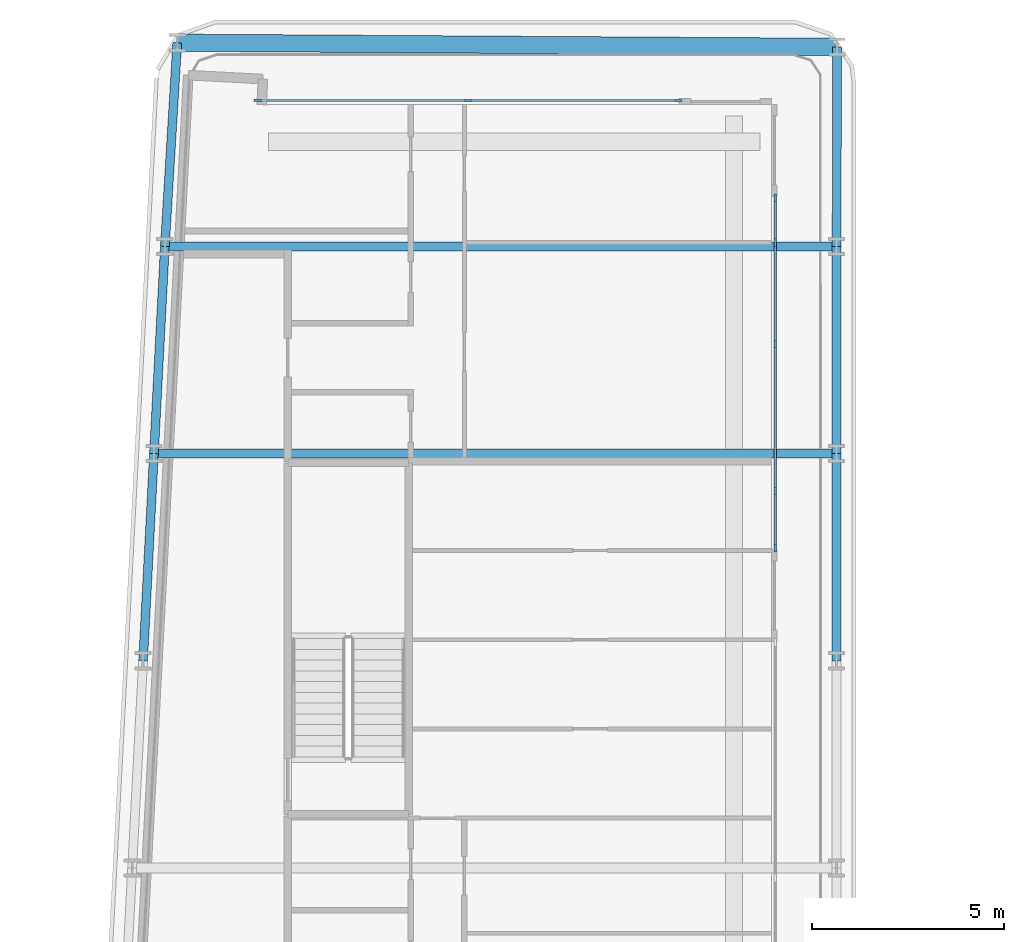
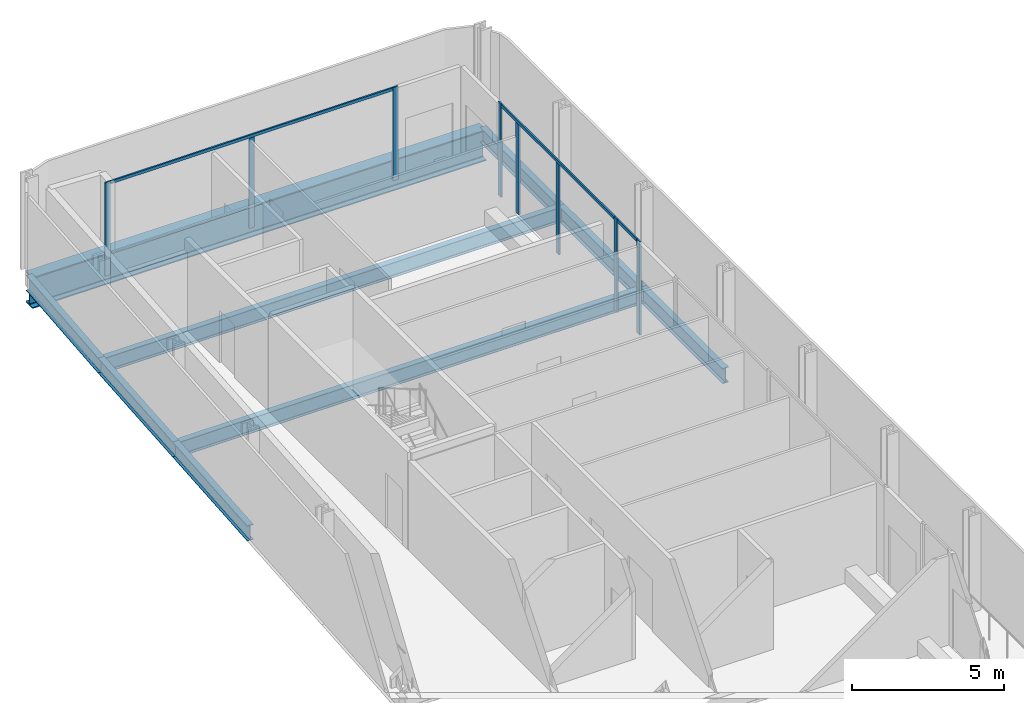
# One storey, part 8 of 24: 11 members, 9 beams, 3 elements without a shape of their own.
"""IFC4 building model written with IfcOpenShell, lengths in metres."""

from ifc_helpers import new_model, si_unit, direction, frame, origin, origin_2d, place, context, subcontext, project, spatial, rectangle, i_section, extrude, material, layer, layer_set, material_profile, profile_set, type_object, element, aggregate, save


model = new_model("IFC4")

# Units and contexts
model_context = context("Model", 3, precision=1e-05, world=origin(), true_north=direction((0.0, 1.0)))
body_context = subcontext(model_context, "Body", "Model", "MODEL_VIEW")
ifc_project = project(units=[si_unit("LENGTHUNIT", "METRE"), si_unit("AREAUNIT", "SQUARE_METRE"), si_unit("VOLUMEUNIT", "CUBIC_METRE"), si_unit("PLANEANGLEUNIT", "RADIAN"), si_unit("MASSUNIT", "GRAM", prefix="KILO")], contexts=[model_context])

# Site, building, storey
site_placement = place(None, origin())
site = spatial("IfcSite", under=ifc_project, at=site_placement, CompositionType="ELEMENT")
building_placement = place(site_placement, origin())
building = spatial("IfcBuilding", under=site, at=building_placement, Name="Kheshtan School and Residences Tower", CompositionType="ELEMENT")
storey_placement = place(building_placement, frame((0.0, 0.0, 38.300048828125)))
storey = spatial("IfcBuildingStorey", under=building, at=storey_placement, Name="L08", CompositionType="ELEMENT", Elevation=38.300048828125)

# Beams
ifc_material_1 = material(Name="Steel ASTM A992 Grade 50", Category="steel")
ifc_material_profile_1 = material_profile(ifc_material_1, i_section(OverallWidth=0.22802734375, OverallDepth=0.60302734375, WebThickness=0.010498046875, FlangeThickness=0.014892578125, FilletRadius=0.013427734375, at=origin_2d()), Name="W610x101")
ifc_profile_set_1 = profile_set([ifc_material_profile_1], Name="Steel ASTM A992 Grade 50")
beam_type_1 = type_object("IfcBeamType", Name="Beam FB5 W610x101 ASTM A992 Grade 50", PredefinedType="BEAM", material=ifc_profile_set_1)
beam_1_placement = place(storey_placement, frame((47.60009765625, 94.199951171875, -0.45166015625), z_axis=(-1.0, 0.0, 0.0), x_axis=(0.0, -1.0, 0.0)))
element("IfcBeam", 1, at=beam_1_placement, inside=storey, type_object=beam_type_1, Name="Floor beam C107", PredefinedType="BEAM", context=body_context, shape_type="SweptSolid", body=[
    extrude(i_section(OverallWidth=0.22802734375, OverallDepth=0.60302734375, WebThickness=0.010498046875, FlangeThickness=0.014892578125, FilletRadius=0.013427734375, at=origin_2d()), origin(), (0.0, 0.0, 1.0), 17.505126953125),
])
beam_2_placement = place(storey_placement, frame((29.81103515625, 88.800048828125, -0.45166015625), z_axis=(1.0, 0.0, 0.0), x_axis=(0.0, 1.0, 0.0)))
element("IfcBeam", 2, at=beam_2_placement, inside=storey, type_object=beam_type_1, Name="Floor beam C098", PredefinedType="BEAM", context=body_context, shape_type="SweptSolid", body=[
    extrude(i_section(OverallWidth=0.22802734375, OverallDepth=0.60302734375, WebThickness=0.010498046875, FlangeThickness=0.014892578125, FilletRadius=0.013427734375, at=origin_2d()), origin(), (0.0, 0.0, 1.0), 17.7890625),
])
ifc_material_profile_2 = material_profile(ifc_material_1, i_section(OverallWidth=0.22998046875, OverallDepth=0.616943359375, WebThickness=0.01318359375, FlangeThickness=0.022216796875, FilletRadius=0.0185546875, at=origin_2d()), Name="W610x140")
ifc_profile_set_2 = profile_set([ifc_material_profile_2], Name="Steel ASTM A992 Grade 50")
beam_type_2 = type_object("IfcBeamType", Name="Beam SP1 W610x140 ASTM A992 Grade 50", PredefinedType="BEAM", material=ifc_profile_set_2)
beam_3_placement = place(storey_placement, frame((47.614013671875, 99.39990234375, -0.45849609375), z_axis=(-0.002676172397, -0.999996419044, 0.0), x_axis=(0.999996419044, -0.002676172397, 0.0)))
element("IfcBeam", 3, at=beam_3_placement, inside=storey, type_object=beam_type_2, Name="Spandrel beam C109-C107", PredefinedType="BEAM", context=body_context, shape_type="SweptSolid", body=[
    extrude(i_section(OverallWidth=0.22998046875, OverallDepth=0.616943359375, WebThickness=0.01318359375, FlangeThickness=0.022216796875, FilletRadius=0.0185546875, at=origin_2d()), origin(), (0.0, 0.0, 1.0), 5.199951171875),
])
beam_4_placement = place(storey_placement, frame((47.60009765625, 94.199951171875, -0.45849609375), z_axis=(0.0, -1.0, 0.0), x_axis=(1.0, 0.0, 0.0)))
element("IfcBeam", 4, at=beam_4_placement, inside=storey, type_object=beam_type_2, Name="Spandrel beam C107-C099", PredefinedType="BEAM", context=body_context, shape_type="SweptSolid", body=[
    extrude(i_section(OverallWidth=0.22998046875, OverallDepth=0.616943359375, WebThickness=0.01318359375, FlangeThickness=0.022216796875, FilletRadius=0.0185546875, at=origin_2d()), origin(), (0.0, 0.0, 1.0), 5.39990234375),
])
beam_5_placement = place(storey_placement, frame((47.60009765625, 88.800048828125, -0.45849609375), z_axis=(0.0, -1.0, 0.0), x_axis=(1.0, 0.0, 0.0)))
element("IfcBeam", 5, at=beam_5_placement, inside=storey, type_object=beam_type_2, Name="Spandrel beam C099-C091", PredefinedType="BEAM", context=body_context, shape_type="SweptSolid", body=[
    extrude(i_section(OverallWidth=0.22998046875, OverallDepth=0.616943359375, WebThickness=0.01318359375, FlangeThickness=0.022216796875, FilletRadius=0.0185546875, at=origin_2d()), origin(), (0.0, 0.0, 1.0), 5.400146484375),
])
beam_6_placement = place(storey_placement, frame((29.527099609375, 83.39990234375, -0.45849609375), z_axis=(0.05250670125, 0.998620571751, 0.0), x_axis=(-0.998620571751, 0.05250670125, 0.0)))
element("IfcBeam", 6, at=beam_6_placement, inside=storey, type_object=beam_type_2, Name="Spandrel beam C090-C098", PredefinedType="BEAM", context=body_context, shape_type="SweptSolid", body=[
    extrude(i_section(OverallWidth=0.22998046875, OverallDepth=0.616943359375, WebThickness=0.01318359375, FlangeThickness=0.022216796875, FilletRadius=0.0185546875, at=origin_2d()), origin(), (0.0, 0.0, 1.0), 5.40771484375),
])
beam_7_placement = place(storey_placement, frame((29.81103515625, 88.800048828125, -0.45849609375), z_axis=(0.05250906864, 0.998620447272, 0.0), x_axis=(-0.998620447272, 0.05250906864, 0.0)))
element("IfcBeam", 7, at=beam_7_placement, inside=storey, type_object=beam_type_2, Name="Spandrel beam C098-C106", PredefinedType="BEAM", context=body_context, shape_type="SweptSolid", body=[
    extrude(i_section(OverallWidth=0.22998046875, OverallDepth=0.616943359375, WebThickness=0.01318359375, FlangeThickness=0.022216796875, FilletRadius=0.0185546875, at=origin_2d()), origin(), (0.0, 0.0, 1.0), 5.407470703125),
])
beam_8_placement = place(storey_placement, frame((30.094970703125, 94.199951171875, -0.45849609375), z_axis=(0.060737624537, 0.998153766193, 0.0), x_axis=(-0.998153766193, 0.060737624537, 0.0)))
element("IfcBeam", 8, at=beam_8_placement, inside=storey, type_object=beam_type_2, Name="Spandrel beam C106-C119", PredefinedType="BEAM", context=body_context, shape_type="SweptSolid", body=[
    extrude(i_section(OverallWidth=0.22998046875, OverallDepth=0.616943359375, WebThickness=0.01318359375, FlangeThickness=0.022216796875, FilletRadius=0.0185546875, at=origin_2d()), origin(), (0.0, 0.0, 1.0), 5.31787109375),
])

# Curtain wall, members
ifc_material_2 = material(Name="Clear low-e glass in thermally broken aluminium frame", Category="aluminium")
ifc_layer = layer(ifc_material_2, 0.199951171875)
ifc_layer_set = layer_set([ifc_layer], Name="Curtain wall CW-L")
curtain_wall_type = type_object("IfcCurtainWallType", Name="Curtain wall CW-L", PredefinedType="NOTDEFINED", material=ifc_layer_set)
curtain_wall_1_placement = place(storey_placement, origin())
curtain_wall_1 = element("IfcCurtainWall", 9, at=curtain_wall_1_placement, inside=storey, type_object=curtain_wall_type, Name="Curtain wall CWL7", PredefinedType="NOTDEFINED")
ifc_material_3 = material(Name="Thermally broken aluminium, dark bronze anodised", Category="aluminium")
ifc_material_profile_3 = material_profile(ifc_material_3, rectangle(XDim=0.06005859375, YDim=0.199951171875, at=origin_2d()), Name="CW-L mullion 60x200")
ifc_profile_set_3 = profile_set([ifc_material_profile_3], Name="Thermally broken aluminium, dark bronze anodised")
member_type_1 = type_object("IfcMemberType", Name="CW-L mullion 60x200", PredefinedType="MULLION", material=ifc_profile_set_3)
member_1_placement = place(storey_placement, frame((32.52197265625, 98.0, 0.0), z_axis=(0.0, 0.0, 1.0), x_axis=(0.0, 1.0, 0.0)))
member_1 = element("IfcMember", 10, at=member_1_placement, type_object=member_type_1, Name="CWL7 mullion 1", PredefinedType="MULLION", context=body_context, shape_type="SweptSolid", body=[
    extrude(rectangle(XDim=0.06005859375, YDim=0.199951171875, at=origin_2d()), origin(), (0.0, 0.0, 1.0), 3.75),
])
member_2_placement = place(storey_placement, frame((37.99609375, 98.0, 0.0), z_axis=(0.0, 0.0, 1.0), x_axis=(0.0, 1.0, 0.0)))
member_2 = element("IfcMember", 11, at=member_2_placement, type_object=member_type_1, Name="CWL7 mullion 2", PredefinedType="MULLION", context=body_context, shape_type="SweptSolid", body=[
    extrude(rectangle(XDim=0.06005859375, YDim=0.199951171875, at=origin_2d()), origin(), (0.0, 0.0, 1.0), 3.6298828125),
])
member_3_placement = place(storey_placement, frame((43.469970703125, 98.0, 0.0), z_axis=(0.0, 0.0, 1.0), x_axis=(0.0, 1.0, 0.0)))
member_3 = element("IfcMember", 12, at=member_3_placement, type_object=member_type_1, Name="CWL7 mullion 3", PredefinedType="MULLION", context=body_context, shape_type="SweptSolid", body=[
    extrude(rectangle(XDim=0.06005859375, YDim=0.199951171875, at=origin_2d()), origin(), (0.0, 0.0, 1.0), 3.75),
])

curtain_wall_2_placement = place(storey_placement, origin())
curtain_wall_2 = element("IfcCurtainWall", 13, at=curtain_wall_2_placement, inside=storey, type_object=curtain_wall_type, Name="Curtain wall CWL8c", PredefinedType="NOTDEFINED")
member_4_placement = place(storey_placement, frame((46.0, 95.469970703125, 0.0), z_axis=(0.0, 0.0, 1.0), x_axis=(1.0, 0.0, 0.0)))
member_4 = element("IfcMember", 14, at=member_4_placement, type_object=member_type_1, Name="CWL8c mullion 1", PredefinedType="MULLION", context=body_context, shape_type="SweptSolid", body=[
    extrude(rectangle(XDim=0.06005859375, YDim=0.199951171875, at=origin_2d()), origin(), (0.0, 0.0, 1.0), 3.75),
])
member_5_placement = place(storey_placement, frame((46.0, 94.300048828125, 0.0), z_axis=(0.0, 0.0, 1.0), x_axis=(1.0, 0.0, 0.0)))
member_5 = element("IfcMember", 15, at=member_5_placement, type_object=member_type_1, Name="CWL8c mullion 2", PredefinedType="MULLION", context=body_context, shape_type="SweptSolid", body=[
    extrude(rectangle(XDim=0.06005859375, YDim=0.199951171875, at=origin_2d()), origin(), (0.0, 0.0, 1.0), 3.6298828125),
])
member_6_placement = place(storey_placement, frame((46.0, 91.653076171875, 0.0), z_axis=(0.0, 0.0, 1.0), x_axis=(1.0, 0.0, 0.0)))
member_6 = element("IfcMember", 16, at=member_6_placement, type_object=member_type_1, Name="CWL8c mullion 3", PredefinedType="MULLION", context=body_context, shape_type="SweptSolid", body=[
    extrude(rectangle(XDim=0.06005859375, YDim=0.199951171875, at=origin_2d()), origin(), (0.0, 0.0, 1.0), 3.6298828125),
])
member_7_placement = place(storey_placement, frame((46.0, 87.8359375, 0.0), z_axis=(0.0, 0.0, 1.0), x_axis=(1.0, 0.0, 0.0)))
member_7 = element("IfcMember", 17, at=member_7_placement, type_object=member_type_1, Name="CWL8c mullion 4", PredefinedType="MULLION", context=body_context, shape_type="SweptSolid", body=[
    extrude(rectangle(XDim=0.06005859375, YDim=0.199951171875, at=origin_2d()), origin(), (0.0, 0.0, 1.0), 3.75),
])

# Curtain wall, member
curtain_wall_3_placement = place(storey_placement, origin())
curtain_wall_3 = element("IfcCurtainWall", 18, at=curtain_wall_3_placement, inside=storey, type_object=curtain_wall_type, Name="Curtain wall CWL8a", PredefinedType="NOTDEFINED")
member_8_placement = place(storey_placement, frame((46.0, 86.3359375, 0.0), z_axis=(0.0, 0.0, 1.0), x_axis=(1.0, 0.0, 0.0)))
member_8 = element("IfcMember", 19, at=member_8_placement, type_object=member_type_1, Name="CWL8a mullion 2", PredefinedType="MULLION", context=body_context, shape_type="SweptSolid", body=[
    extrude(rectangle(XDim=0.06005859375, YDim=0.199951171875, at=origin_2d()), origin(), (0.0, 0.0, 1.0), 3.75),
])

# Member
ifc_material_profile_4 = material_profile(ifc_material_3, rectangle(XDim=0.06005859375, YDim=0.1201171875, at=origin_2d()), Name="CW-L transom 60x120")
ifc_profile_set_4 = profile_set([ifc_material_profile_4], Name="Thermally broken aluminium, dark bronze anodised")
member_type_2 = type_object("IfcMemberType", Name="CW-L transom 60x120", PredefinedType="USERDEFINED", material=ifc_profile_set_4)
member_9_placement = place(storey_placement, frame((32.552001953125, 98.0, 3.68994140625), z_axis=(1.0, 0.0, 0.0), x_axis=(0.0, 1.0, 0.0)))
member_9 = element("IfcMember", 20, at=member_9_placement, type_object=member_type_2, Name="CWL7 transom 1", ObjectType="TRANSOM", PredefinedType="USERDEFINED", context=body_context, shape_type="SweptSolid", body=[
    extrude(rectangle(XDim=0.06005859375, YDim=0.1201171875, at=origin_2d()), origin(), (0.0, 0.0, 1.0), 10.887939453125),
])

aggregate(curtain_wall_1, [member_1, member_2, member_3, member_9])

member_10_placement = place(storey_placement, frame((46.0, 95.43994140625, 3.68994140625), z_axis=(0.0, -1.0, 0.0), x_axis=(1.0, 0.0, 0.0)))
member_10 = element("IfcMember", 21, at=member_10_placement, type_object=member_type_2, Name="CWL8c transom 1", ObjectType="TRANSOM", PredefinedType="USERDEFINED", context=body_context, shape_type="SweptSolid", body=[
    extrude(rectangle(XDim=0.06005859375, YDim=0.1201171875, at=origin_2d()), origin(), (0.0, 0.0, 1.0), 7.573974609375),
])

aggregate(curtain_wall_2, [member_4, member_5, member_6, member_7, member_10])

member_11_placement = place(storey_placement, frame((46.0, 87.805908203125, 3.68994140625), z_axis=(0.0, -1.0, 0.0), x_axis=(1.0, 0.0, 0.0)))
member_11 = element("IfcMember", 22, at=member_11_placement, type_object=member_type_2, Name="CWL8a transom 1", ObjectType="TRANSOM", PredefinedType="USERDEFINED", context=body_context, shape_type="SweptSolid", body=[
    extrude(rectangle(XDim=0.06005859375, YDim=0.1201171875, at=origin_2d()), origin(), (0.0, 0.0, 1.0), 1.43994140625),
])

aggregate(curtain_wall_3, [member_8, member_11])

# Beam
ifc_material_profile_5 = material_profile(ifc_material_1, i_section(OverallWidth=0.449951171875, OverallDepth=1.25, WebThickness=0.02490234375, FlangeThickness=0.044921875, FilletRadius=0.03759765625, at=origin_2d()), Name="WWF1250x546")
ifc_profile_set_5 = profile_set([ifc_material_profile_5], Name="Steel ASTM A992 Grade 50")
beam_type_3 = type_object("IfcBeamType", Name="Transfer girder TG4 WWF1250x546 ASTM A992 Grade 50", PredefinedType="BEAM", material=ifc_profile_set_5)
beam_9_placement = place(storey_placement, frame((30.41796875, 99.508056640625, -0.775146484375), z_axis=(0.999980221765, -0.006289362366, 0.0), x_axis=(0.006289362366, 0.999980221765, 0.0)))
element("IfcBeam", 23, at=beam_9_placement, inside=storey, type_object=beam_type_3, Name="Transfer girder C119-C109", PredefinedType="BEAM", context=body_context, shape_type="SweptSolid", body=[
    extrude(i_section(OverallWidth=0.449951171875, OverallDepth=1.25, WebThickness=0.02490234375, FlangeThickness=0.044921875, FilletRadius=0.03759765625, at=origin_2d()), origin(), (0.0, 0.0, 1.0), 17.1962890625),
])

save(model, "model.ifc")
